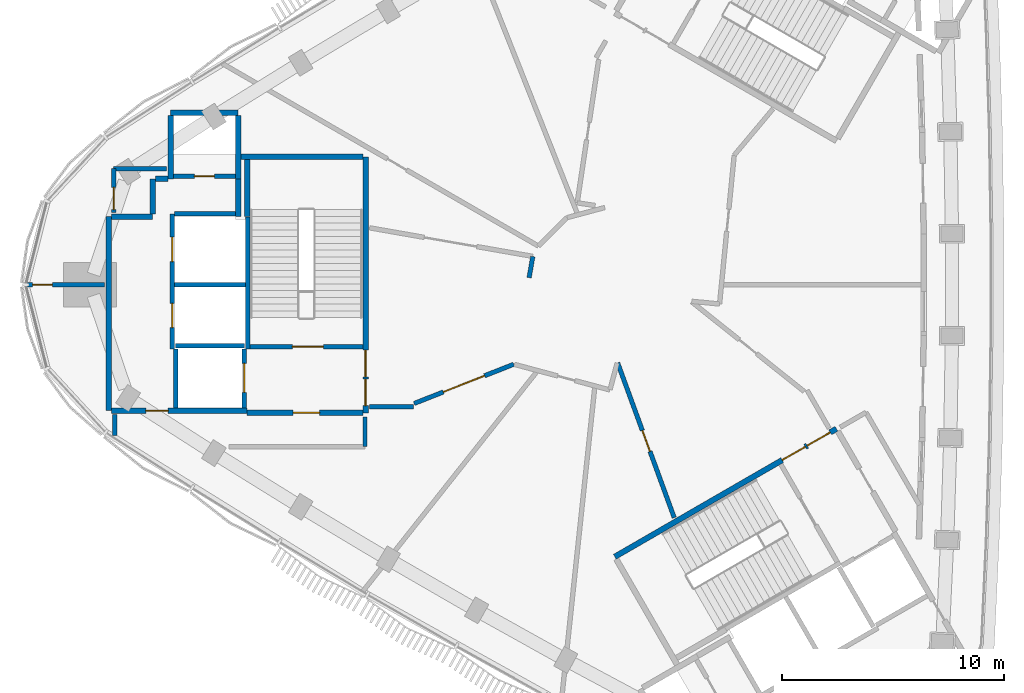
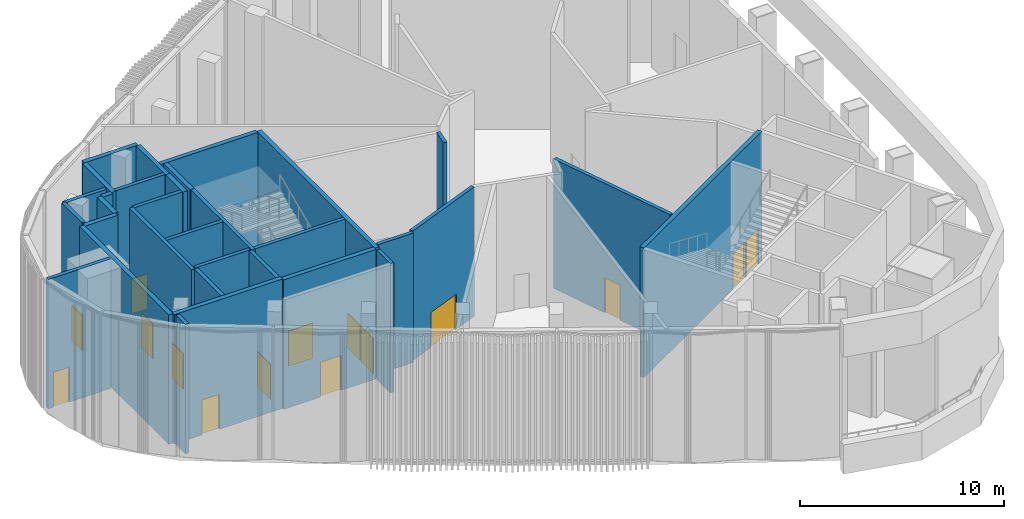
# One storey, part 3 of 11: 32 walls, 15 doors, 15 openings.
"""IFC4 building model written with IfcOpenShell, lengths in metres."""

from ifc_helpers import new_model, si_unit, direction, frame, frame_2d, origin, place, context, subcontext, project, spatial, rectangle, extrude, material, layer, layer_set, type_object, element, fill, save


model = new_model("IFC4")

# Units and contexts
model_context = context("Model", 3, precision=1e-05, world=origin(), true_north=direction((0.0, 1.0)))
body_context = subcontext(model_context, "Body", "Model", "MODEL_VIEW")
ifc_project = project(units=[si_unit("LENGTHUNIT", "METRE"), si_unit("AREAUNIT", "SQUARE_METRE"), si_unit("VOLUMEUNIT", "CUBIC_METRE"), si_unit("PLANEANGLEUNIT", "RADIAN"), si_unit("MASSUNIT", "GRAM", prefix="KILO")], contexts=[model_context])

# Site, building, storey
site_placement = place(None, origin())
site = spatial("IfcSite", under=ifc_project, at=site_placement, CompositionType="ELEMENT")
building_placement = place(site_placement, origin())
building = spatial("IfcBuilding", under=site, at=building_placement, Name="Tamra Quay Hotel Tower", CompositionType="ELEMENT")
storey_placement = place(building_placement, frame((0.0, 0.0, 312.60009765625)))
storey = spatial("IfcBuildingStorey", under=building, at=storey_placement, Name="L78", CompositionType="ELEMENT", Elevation=312.60009765625)

# Wall
ifc_material_1 = material(Name="Concrete M70", Category="concrete")
ifc_layer_1 = layer(ifc_material_1, 0.199951171875)
ifc_layer_set_1 = layer_set([ifc_layer_1], Name="Concrete M70 core wall 200")
wall_type_1 = type_object("IfcWallType", Name="Concrete M70 core wall 200", PredefinedType="SHEAR", material=ifc_layer_set_1)
wall_1_placement = place(storey_placement, frame((-16.162109375, 3.073974609375, 0.0), z_axis=(0.0, 0.0, 1.0), x_axis=(0.0, -1.0, 0.0)))
element("IfcWall", 1, at=wall_1_placement, inside=storey, type_object=wall_type_1, Name="CW2", PredefinedType="SHEAR", context=body_context, shape_type="SweptSolid", body=[
    extrude(rectangle(XDim=5.97412109375, YDim=0.199951171875, at=frame_2d((2.987060546875, 0.0))), origin(), (0.0, 0.0, 1.0), 7.75),
])

# Wall, openings, doors
wall_2_placement = place(storey_placement, frame((-19.5625, -2.900146484375, 0.0), z_axis=(0.0, 0.0, 1.0), x_axis=(0.0, 1.0, 0.0)))
wall_2 = element("IfcWall", 2, at=wall_2_placement, inside=storey, type_object=wall_type_1, Name="CW2", PredefinedType="SHEAR", context=body_context, shape_type="SweptSolid", body=[
    extrude(rectangle(XDim=6.100341796875, YDim=0.199951171875, at=frame_2d((3.05029296875, 0.0))), origin(), (0.0, 0.0, 1.0), 7.75),
])
opening_1_placement = place(wall_2_placement, frame((3.9501953125, 0.0, 0.0)))
opening_1 = element("IfcOpeningElement", 3, at=opening_1_placement, cuts=wall_2, Name="Opening LD", PredefinedType="OPENING", context=body_context, shape_type="SweptSolid", body=[
    extrude(rectangle(XDim=1.10009765625, YDim=2.10009765625, at=frame_2d((0.550048828125, 1.050048828125))), frame((0.0, 0.10986328125, 0.0), z_axis=(0.0, -1.0, 0.0), x_axis=(1.0, 0.0, 0.0)), (0.0, 0.0, 1.0), 0.219970703125),
])
opening_2_placement = place(wall_2_placement, frame((0.968017578125, 0.0, 0.0)))
opening_2 = element("IfcOpeningElement", 4, at=opening_2_placement, cuts=wall_2, Name="Opening LD", PredefinedType="OPENING", context=body_context, shape_type="SweptSolid", body=[
    extrude(rectangle(XDim=1.10009765625, YDim=2.10009765625, at=frame_2d((0.550048828125, 1.050048828125))), frame((0.0, 0.10986328125, 0.0), z_axis=(0.0, -1.0, 0.0), x_axis=(1.0, 0.0, 0.0)), (0.0, 0.0, 1.0), 0.219970703125),
])
ifc_material_2 = material(Name="Landing door LD 1100 double door sliding")
door_type_1 = type_object("IfcDoorType", Name="Landing door LD 1100 double door sliding", OperationType="DOUBLE_DOOR_SLIDING", PredefinedType="DOOR", material=ifc_material_2)
door_1_placement = place(opening_1_placement, origin())
door_1 = element("IfcDoor", 5, at=door_1_placement, inside=storey, type_object=door_type_1, Name="LD", OperationType="DOUBLE_DOOR_SLIDING", OverallHeight=2.10009765625, OverallWidth=1.10009765625, PredefinedType="DOOR", context=body_context, shape_type="SweptSolid", body=[
    extrude(rectangle(XDim=1.10009765625, YDim=2.10009765625, at=frame_2d((0.550048828125, 1.050048828125))), frame((0.0, 0.02490234375, 0.0), z_axis=(0.0, -1.0, 0.0), x_axis=(1.0, 0.0, 0.0)), (0.0, 0.0, 1.0), 0.050048828125),
])
fill(opening_1, door_1)
door_2_placement = place(opening_2_placement, origin())
door_2 = element("IfcDoor", 6, at=door_2_placement, inside=storey, type_object=door_type_1, Name="LD", OperationType="DOUBLE_DOOR_SLIDING", OverallHeight=2.10009765625, OverallWidth=1.10009765625, PredefinedType="DOOR", context=body_context, shape_type="SweptSolid", body=[
    extrude(rectangle(XDim=1.10009765625, YDim=2.10009765625, at=frame_2d((0.550048828125, 1.050048828125))), frame((0.0, 0.02490234375, 0.0), z_axis=(0.0, -1.0, 0.0), x_axis=(1.0, 0.0, 0.0)), (0.0, 0.0, 1.0), 0.050048828125),
])
fill(opening_2, door_2)

# Wall, opening, door
wall_3_placement = place(storey_placement, frame((-10.96337890625, -2.800048828125, 0.0), z_axis=(0.0, 0.0, 1.0), x_axis=(-1.0, 0.0, 0.0)))
wall_3 = element("IfcWall", 7, at=wall_3_placement, inside=storey, type_object=wall_type_1, Name="CW2", PredefinedType="SHEAR", context=body_context, shape_type="SweptSolid", body=[
    extrude(rectangle(XDim=5.097900390625, YDim=0.199951171875, at=frame_2d((2.548828125, 0.0))), origin(), (0.0, 0.0, 1.0), 7.75),
])
opening_3_placement = place(wall_3_placement, frame((1.77392578125, 0.0, 0.0)))
opening_3 = element("IfcOpeningElement", 8, at=opening_3_placement, cuts=wall_3, Name="Opening FD2", PredefinedType="OPENING", context=body_context, shape_type="SweptSolid", body=[
    extrude(rectangle(XDim=1.39990234375, YDim=2.10009765625, at=frame_2d((0.699951171875, 1.050048828125))), frame((0.0, 0.10986328125, 0.0), z_axis=(0.0, -1.0, 0.0), x_axis=(1.0, 0.0, 0.0)), (0.0, 0.0, 1.0), 0.219970703125),
])
ifc_material_3 = material(Name="Core door FD2 1400x2100 LH")
door_type_2 = type_object("IfcDoorType", Name="Core door FD2 1400x2100 LH", OperationType="NOTDEFINED", PredefinedType="DOOR", material=ifc_material_3)
door_3_placement = place(opening_3_placement, origin())
door_3 = element("IfcDoor", 9, at=door_3_placement, inside=storey, type_object=door_type_2, Name="FD2", OperationType="SINGLE_SWING_LEFT", OverallHeight=2.10009765625, OverallWidth=1.39990234375, PredefinedType="DOOR", context=body_context, shape_type="SweptSolid", body=[
    extrude(rectangle(XDim=1.39990234375, YDim=2.10009765625, at=frame_2d((0.699951171875, 1.050048828125))), frame((0.0, 0.02490234375, 0.0), z_axis=(0.0, -1.0, 0.0), x_axis=(1.0, 0.0, 0.0)), (0.0, 0.0, 1.0), 0.050048828125),
])
fill(opening_3, door_3)

# Wall
wall_4_placement = place(storey_placement, frame((-16.26318359375, 0.0, 0.0), z_axis=(0.0, 0.0, 1.0), x_axis=(-1.0, 0.0, 0.0)))
element("IfcWall", 10, at=wall_4_placement, inside=storey, type_object=wall_type_1, Name="CW2", PredefinedType="SHEAR", context=body_context, shape_type="SweptSolid", body=[
    extrude(rectangle(XDim=3.1982421875, YDim=0.199951171875, at=frame_2d((1.59912109375, 0.0))), origin(), (0.0, 0.0, 1.0), 7.75),
])

# Wall, opening, door
wall_5_placement = place(storey_placement, frame((-19.51123046875, 4.91015625, 0.0), z_axis=(0.0, 0.0, 1.0), x_axis=(1.0, 0.0, 0.0)))
wall_5 = element("IfcWall", 11, at=wall_5_placement, inside=storey, type_object=wall_type_1, Name="CW2", PredefinedType="SHEAR", context=body_context, shape_type="SweptSolid", body=[
    extrude(rectangle(XDim=2.7978515625, YDim=0.199951171875, at=frame_2d((1.39892578125, 0.0))), origin(), (0.0, 0.0, 1.0), 7.75),
])
opening_4_placement = place(wall_5_placement, frame((0.948974609375, 0.0, 0.0)))
opening_4 = element("IfcOpeningElement", 12, at=opening_4_placement, cuts=wall_5, Name="Opening D1", PredefinedType="OPENING", context=body_context, shape_type="SweptSolid", body=[
    extrude(rectangle(XDim=0.89990234375, YDim=2.10009765625, at=frame_2d((0.449951171875, 1.050048828125))), frame((0.0, 0.10986328125, 0.0), z_axis=(0.0, -1.0, 0.0), x_axis=(1.0, 0.0, 0.0)), (0.0, 0.0, 1.0), 0.219970703125),
])
ifc_material_4 = material(Name="Core door D1 900x2100 RH")
door_type_3 = type_object("IfcDoorType", Name="Core door D1 900x2100 RH", OperationType="NOTDEFINED", PredefinedType="DOOR", material=ifc_material_4)
door_4_placement = place(opening_4_placement, origin())
door_4 = element("IfcDoor", 13, at=door_4_placement, inside=storey, type_object=door_type_3, Name="D1", OperationType="SINGLE_SWING_RIGHT", OverallHeight=2.10009765625, OverallWidth=0.89990234375, PredefinedType="DOOR", context=body_context, shape_type="SweptSolid", body=[
    extrude(rectangle(XDim=0.89990234375, YDim=2.10009765625, at=frame_2d((0.449951171875, 1.050048828125))), frame((0.0, 0.02490234375, 0.0), z_axis=(0.0, -1.0, 0.0), x_axis=(1.0, 0.0, 0.0)), (0.0, 0.0, 1.0), 0.050048828125),
])
fill(opening_4, door_4)

# Walls
wall_6_placement = place(storey_placement, frame((-19.46240234375, 3.2001953125, 0.0), z_axis=(0.0, 0.0, 1.0), x_axis=(1.0, 0.0, 0.0)))
element("IfcWall", 14, at=wall_6_placement, inside=storey, type_object=wall_type_1, Name="CW2", PredefinedType="SHEAR", context=body_context, shape_type="SweptSolid", body=[
    extrude(rectangle(XDim=2.759033203125, YDim=0.199951171875, at=frame_2d((1.37939453125, 0.0))), origin(), (0.0, 0.0, 1.0), 7.75),
])
wall_7_placement = place(storey_placement, frame((-19.412353515625, -2.75, 0.0), z_axis=(0.0, 0.0, 1.0), x_axis=(1.0, 0.0, 0.0)))
element("IfcWall", 15, at=wall_7_placement, inside=storey, type_object=wall_type_1, Name="CW2", PredefinedType="SHEAR", context=body_context, shape_type="SweptSolid", body=[
    extrude(rectangle(XDim=3.10009765625, YDim=0.199951171875, at=frame_2d((1.550048828125, 0.0))), origin(), (0.0, 0.0, 1.0), 7.75),
])

# Wall, opening, door
wall_8_placement = place(storey_placement, frame((-16.312255859375, -2.898193359375, 0.0), z_axis=(0.0, 0.0, 1.0), x_axis=(0.0, -1.0, 0.0)))
wall_8 = element("IfcWall", 16, at=wall_8_placement, inside=storey, type_object=wall_type_1, Name="CW2", PredefinedType="SHEAR", context=body_context, shape_type="SweptSolid", body=[
    extrude(rectangle(XDim=2.65087890625, YDim=0.199951171875, at=frame_2d((1.325439453125, 0.0))), origin(), (0.0, 0.0, 1.0), 7.75),
])
opening_5_placement = place(wall_8_placement, frame((0.65185546875, 0.0, 0.0)))
opening_5 = element("IfcOpeningElement", 17, at=opening_5_placement, cuts=wall_8, Name="Opening LD", PredefinedType="OPENING", context=body_context, shape_type="SweptSolid", body=[
    extrude(rectangle(XDim=1.300048828125, YDim=2.10009765625, at=frame_2d((0.64990234375, 1.050048828125))), frame((0.0, 0.10986328125, 0.0), z_axis=(0.0, -1.0, 0.0), x_axis=(1.0, 0.0, 0.0)), (0.0, 0.0, 1.0), 0.219970703125),
])
ifc_material_5 = material(Name="Landing door LD 1300 sliding to right")
door_type_4 = type_object("IfcDoorType", Name="Landing door LD 1300 sliding to right", OperationType="NOTDEFINED", PredefinedType="DOOR", material=ifc_material_5)
door_5_placement = place(opening_5_placement, origin())
door_5 = element("IfcDoor", 18, at=door_5_placement, inside=storey, type_object=door_type_4, Name="LD", OperationType="SLIDING_TO_RIGHT", OverallHeight=2.10009765625, OverallWidth=1.300048828125, PredefinedType="DOOR", context=body_context, shape_type="SweptSolid", body=[
    extrude(rectangle(XDim=1.300048828125, YDim=2.10009765625, at=frame_2d((0.64990234375, 1.050048828125))), frame((0.0, 0.02490234375, 0.0), z_axis=(0.0, -1.0, 0.0), x_axis=(1.0, 0.0, 0.0)), (0.0, 0.0, 1.0), 0.050048828125),
])
fill(opening_5, door_5)

# Wall
wall_9_placement = place(storey_placement, frame((-19.412353515625, -5.549072265625, 0.0), z_axis=(0.0, 0.0, 1.0), x_axis=(0.0, 1.0, 0.0)))
element("IfcWall", 19, at=wall_9_placement, inside=storey, type_object=wall_type_1, Name="CW2", PredefinedType="SHEAR", context=body_context, shape_type="SweptSolid", body=[
    extrude(rectangle(XDim=2.65087890625, YDim=0.199951171875, at=frame_2d((1.325439453125, 0.0))), origin(), (0.0, 0.0, 1.0), 7.75),
])

# Wall, openings, doors
ifc_layer_2 = layer(ifc_material_1, 0.25)
ifc_layer_set_2 = layer_set([ifc_layer_2], Name="Concrete M70 core wall 250")
wall_type_2 = type_object("IfcWallType", Name="Concrete M70 core wall 250", PredefinedType="SHEAR", material=ifc_layer_set_2)
wall_10_placement = place(storey_placement, frame((-10.83740234375, 5.77490234375, 0.0), z_axis=(0.0, 0.0, 1.0), x_axis=(0.0, -1.0, 0.0)))
wall_10 = element("IfcWall", 20, at=wall_10_placement, inside=storey, type_object=wall_type_2, Name="CW1", PredefinedType="SHEAR", context=body_context, shape_type="SweptSolid", body=[
    extrude(rectangle(XDim=11.5498046875, YDim=0.25, at=frame_2d((5.77490234375, 0.0))), origin(), (0.0, 0.0, 1.0), 7.75),
])
opening_6_placement = place(wall_10_placement, frame((10.02490234375, 0.0, 0.0)))
opening_6 = element("IfcOpeningElement", 21, at=opening_6_placement, cuts=wall_10, Name="Opening FD1", PredefinedType="OPENING", context=body_context, shape_type="SweptSolid", body=[
    extrude(rectangle(XDim=1.199951171875, YDim=2.10009765625, at=frame_2d((0.60009765625, 1.050048828125))), frame((0.0, 0.135009765625, 0.0), z_axis=(0.0, -1.0, 0.0), x_axis=(1.0, 0.0, 0.0)), (0.0, 0.0, 1.0), 0.27001953125),
])
opening_7_placement = place(wall_10_placement, frame((8.72509765625, 0.0, 0.0)))
opening_7 = element("IfcOpeningElement", 22, at=opening_7_placement, cuts=wall_10, Name="Opening FD1", PredefinedType="OPENING", context=body_context, shape_type="SweptSolid", body=[
    extrude(rectangle(XDim=1.199951171875, YDim=2.10009765625, at=frame_2d((0.60009765625, 1.050048828125))), frame((0.0, 0.135009765625, 0.0), z_axis=(0.0, -1.0, 0.0), x_axis=(1.0, 0.0, 0.0)), (0.0, 0.0, 1.0), 0.27001953125),
])
ifc_material_6 = material(Name="Core door FD1 1200x2100 LH")
door_type_5 = type_object("IfcDoorType", Name="Core door FD1 1200x2100 LH", OperationType="NOTDEFINED", PredefinedType="DOOR", material=ifc_material_6)
door_6_placement = place(opening_6_placement, origin())
door_6 = element("IfcDoor", 23, at=door_6_placement, inside=storey, type_object=door_type_5, Name="FD1", OperationType="SINGLE_SWING_LEFT", OverallHeight=2.10009765625, OverallWidth=1.199951171875, PredefinedType="DOOR", context=body_context, shape_type="SweptSolid", body=[
    extrude(rectangle(XDim=1.199951171875, YDim=2.10009765625, at=frame_2d((0.60009765625, 1.050048828125))), frame((0.0, 0.02490234375, 0.0), z_axis=(0.0, -1.0, 0.0), x_axis=(1.0, 0.0, 0.0)), (0.0, 0.0, 1.0), 0.050048828125),
])
fill(opening_6, door_6)
ifc_material_7 = material(Name="Core door FD1 1200x2100 RH")
door_type_6 = type_object("IfcDoorType", Name="Core door FD1 1200x2100 RH", OperationType="NOTDEFINED", PredefinedType="DOOR", material=ifc_material_7)
door_7_placement = place(opening_7_placement, origin())
door_7 = element("IfcDoor", 24, at=door_7_placement, inside=storey, type_object=door_type_6, Name="FD1", OperationType="SINGLE_SWING_RIGHT", OverallHeight=2.10009765625, OverallWidth=1.199951171875, PredefinedType="DOOR", context=body_context, shape_type="SweptSolid", body=[
    extrude(rectangle(XDim=1.199951171875, YDim=2.10009765625, at=frame_2d((0.60009765625, 1.050048828125))), frame((0.0, 0.02490234375, 0.0), z_axis=(0.0, -1.0, 0.0), x_axis=(1.0, 0.0, 0.0)), (0.0, 0.0, 1.0), 0.050048828125),
])
fill(opening_7, door_7)

# Wall
wall_11_placement = place(storey_placement, frame((-22.437255859375, -5.675048828125, 0.0), z_axis=(0.0, 0.0, 1.0), x_axis=(0.0, 1.0, 0.0)))
element("IfcWall", 25, at=wall_11_placement, inside=storey, type_object=wall_type_2, Name="CW1", PredefinedType="SHEAR", context=body_context, shape_type="SweptSolid", body=[
    extrude(rectangle(XDim=8.75, YDim=0.25, at=frame_2d((4.375, 0.0))), origin(), (0.0, 0.0, 1.0), 7.75),
])

# Wall, opening, door
wall_12_placement = place(storey_placement, frame((-16.187255859375, -5.675048828125, 0.0), z_axis=(0.0, 0.0, 1.0), x_axis=(-1.0, 0.0, 0.0)))
wall_12 = element("IfcWall", 26, at=wall_12_placement, inside=storey, type_object=wall_type_2, Name="CW1", PredefinedType="SHEAR", context=body_context, shape_type="SweptSolid", body=[
    extrude(rectangle(XDim=6.12451171875, YDim=0.25, at=frame_2d((3.062255859375, 0.0))), origin(), (0.0, 0.0, 1.0), 7.75),
])
opening_8_placement = place(wall_12_placement, frame((3.562744140625, 0.0, 0.0)))
opening_8 = element("IfcOpeningElement", 27, at=opening_8_placement, cuts=wall_12, Name="Opening FD3", PredefinedType="OPENING", context=body_context, shape_type="SweptSolid", body=[
    extrude(rectangle(XDim=1.0, YDim=2.10009765625, at=frame_2d((0.5, 1.050048828125))), frame((0.0, 0.135009765625, 0.0), z_axis=(0.0, -1.0, 0.0), x_axis=(1.0, 0.0, 0.0)), (0.0, 0.0, 1.0), 0.27001953125),
])
ifc_material_8 = material(Name="Core door FD3 1000x2100 LH")
door_type_7 = type_object("IfcDoorType", Name="Core door FD3 1000x2100 LH", OperationType="NOTDEFINED", PredefinedType="DOOR", material=ifc_material_8)
door_8_placement = place(opening_8_placement, origin())
door_8 = element("IfcDoor", 28, at=door_8_placement, inside=storey, type_object=door_type_7, Name="FD3", OperationType="SINGLE_SWING_LEFT", OverallHeight=2.10009765625, OverallWidth=1.0, PredefinedType="DOOR", context=body_context, shape_type="SweptSolid", body=[
    extrude(rectangle(XDim=1.0, YDim=2.10009765625, at=frame_2d((0.5, 1.050048828125))), frame((0.0, 0.02490234375, 0.0), z_axis=(0.0, -1.0, 0.0), x_axis=(1.0, 0.0, 0.0)), (0.0, 0.0, 1.0), 0.050048828125),
])
fill(opening_8, door_8)

wall_13_placement = place(storey_placement, frame((-10.962646484375, -5.77490234375, 0.0), z_axis=(0.0, 0.0, 1.0), x_axis=(-1.0, 0.0, 0.0)))
wall_13 = element("IfcWall", 29, at=wall_13_placement, inside=storey, type_object=wall_type_2, Name="CW1", PredefinedType="SHEAR", context=body_context, shape_type="SweptSolid", body=[
    extrude(rectangle(XDim=5.224609375, YDim=0.25, at=frame_2d((2.6123046875, 0.0))), origin(), (0.0, 0.0, 1.0), 7.75),
])
opening_9_placement = place(wall_13_placement, frame((1.94921875, 0.0, 0.0)))
opening_9 = element("IfcOpeningElement", 30, at=opening_9_placement, cuts=wall_13, Name="Opening FD1", PredefinedType="OPENING", context=body_context, shape_type="SweptSolid", body=[
    extrude(rectangle(XDim=1.199951171875, YDim=2.10009765625, at=frame_2d((0.60009765625, 1.050048828125))), frame((0.0, 0.135009765625, 0.0), z_axis=(0.0, -1.0, 0.0), x_axis=(1.0, 0.0, 0.0)), (0.0, 0.0, 1.0), 0.27001953125),
])
door_9_placement = place(opening_9_placement, origin())
door_9 = element("IfcDoor", 31, at=door_9_placement, inside=storey, type_object=door_type_5, Name="FD1", OperationType="SINGLE_SWING_LEFT", OverallHeight=2.10009765625, OverallWidth=1.199951171875, PredefinedType="DOOR", context=body_context, shape_type="SweptSolid", body=[
    extrude(rectangle(XDim=1.199951171875, YDim=2.10009765625, at=frame_2d((0.60009765625, 1.050048828125))), frame((0.0, 0.02490234375, 0.0), z_axis=(0.0, -1.0, 0.0), x_axis=(1.0, 0.0, 0.0)), (0.0, 0.0, 1.0), 0.050048828125),
])
fill(opening_9, door_9)

# Walls
wall_14_placement = place(storey_placement, frame((-16.47216796875, 5.77490234375, 0.0), z_axis=(0.0, 0.0, 1.0), x_axis=(1.0, 0.0, 0.0)))
element("IfcWall", 32, at=wall_14_placement, inside=storey, type_object=wall_type_2, Name="CW1", PredefinedType="SHEAR", context=body_context, shape_type="SweptSolid", body=[
    extrude(rectangle(XDim=5.509521484375, YDim=0.25, at=frame_2d((2.7548828125, 0.0))), origin(), (0.0, 0.0, 1.0), 7.75),
])
wall_15_placement = place(storey_placement, frame((-19.63720703125, 7.77490234375, 0.0), z_axis=(0.0, 0.0, 1.0), x_axis=(1.0, 0.0, 0.0)))
element("IfcWall", 33, at=wall_15_placement, inside=storey, type_object=wall_type_2, Name="CW1", PredefinedType="SHEAR", context=body_context, shape_type="SweptSolid", body=[
    extrude(rectangle(XDim=3.0498046875, YDim=0.25, at=frame_2d((1.52490234375, 0.0))), origin(), (0.0, 0.0, 1.0), 7.75),
])
for number, where, z_axis, x_axis, name in (
    (34, (-16.58740234375, 7.649658203125, 0.0), (0.0, 0.0, 1.0), (0.0, -1.0, 0.0), "CW1"),
    (35, (-19.63720703125, 4.784912109375, 0.0), (0.0, 0.0, 1.0), (0.0, 1.0, 0.0), "CW1"),
):
    element("IfcWall", number, at=place(storey_placement, frame(where, z_axis=z_axis, x_axis=x_axis)), inside=storey, type_object=wall_type_2, Name=name, PredefinedType="SHEAR", context=body_context, shape_type="SweptSolid", body=[
        extrude(rectangle(XDim=2.86474609375, YDim=0.25, at=frame_2d((1.432373046875, 0.0))), origin(), (0.0, 0.0, 1.0), 7.75),
    ])
wall_16_placement = place(storey_placement, frame((-16.187255859375, 3.074951171875, 0.0), z_axis=(0.0, 0.0, 1.0), x_axis=(0.0, 1.0, 0.0)))
element("IfcWall", 36, at=wall_16_placement, inside=storey, type_object=wall_type_2, Name="CW1", PredefinedType="SHEAR", context=body_context, shape_type="SweptSolid", body=[
    extrude(rectangle(XDim=2.57470703125, YDim=0.25, at=frame_2d((1.287353515625, 0.0))), origin(), (0.0, 0.0, 1.0), 7.75),
])
wall_17_placement = place(storey_placement, frame((-22.311767578125, 3.074951171875, 0.0), z_axis=(0.0, 0.0, 1.0), x_axis=(1.0, 0.0, 0.0)))
element("IfcWall", 37, at=wall_17_placement, inside=storey, type_object=wall_type_2, Name="CW1", PredefinedType="SHEAR", context=body_context, shape_type="SweptSolid", body=[
    extrude(rectangle(XDim=1.864501953125, YDim=0.25, at=frame_2d((0.93212890625, 0.0))), origin(), (0.0, 0.0, 1.0), 7.75),
])
wall_18_placement = place(storey_placement, frame((-16.577392578125, 4.784912109375, 0.0), z_axis=(0.0, 0.0, 1.0), x_axis=(0.0, -1.0, 0.0)))
element("IfcWall", 38, at=wall_18_placement, inside=storey, type_object=wall_type_2, Name="CW1", PredefinedType="SHEAR", context=body_context, shape_type="SweptSolid", body=[
    extrude(rectangle(XDim=1.7099609375, YDim=0.25, at=frame_2d((0.85498046875, 0.0))), origin(), (0.0, 0.0, 1.0), 7.75),
])
wall_19_placement = place(storey_placement, frame((-20.447265625, 3.200439453125, 0.0), z_axis=(0.0, 0.0, 1.0), x_axis=(0.0, 1.0, 0.0)))
element("IfcWall", 39, at=wall_19_placement, inside=storey, type_object=wall_type_2, Name="CW1", PredefinedType="SHEAR", context=body_context, shape_type="SweptSolid", body=[
    extrude(rectangle(XDim=1.58447265625, YDim=0.25, at=frame_2d((0.792236328125, 0.0))), origin(), (0.0, 0.0, 1.0), 7.75),
])
wall_20_placement = place(storey_placement, frame((-20.32177734375, 4.784912109375, 0.0), z_axis=(0.0, 0.0, 1.0), x_axis=(1.0, 0.0, 0.0)))
element("IfcWall", 40, at=wall_20_placement, inside=storey, type_object=wall_type_2, Name="CW1", PredefinedType="SHEAR", context=body_context, shape_type="SweptSolid", body=[
    extrude(rectangle(XDim=0.55908203125, YDim=0.25, at=frame_2d((0.279541015625, 0.0))), origin(), (0.0, 0.0, 1.0), 7.75),
])

# Wall, openings, doors
wall_21_placement = place(storey_placement, frame((0.417236328125, -12.27294921875, 0.0), z_axis=(0.0, 0.0, 1.0), x_axis=(0.866021906294, 0.500006057782, 0.0)))
wall_21 = element("IfcWall", 41, at=wall_21_placement, inside=storey, type_object=wall_type_2, Name="CW1", PredefinedType="SHEAR", context=body_context, shape_type="SweptSolid", body=[
    extrude(rectangle(XDim=11.550048828125, YDim=0.25, at=frame_2d((5.77490234375, 0.0))), origin(), (0.0, 0.0, 1.0), 7.75),
])
opening_10_placement = place(wall_21_placement, frame((10.024658203125, 0.0, 0.0)))
opening_10 = element("IfcOpeningElement", 42, at=opening_10_placement, cuts=wall_21, Name="Opening FD1", PredefinedType="OPENING", context=body_context, shape_type="SweptSolid", body=[
    extrude(rectangle(XDim=1.199951171875, YDim=2.10009765625, at=frame_2d((0.60009765625, 1.050048828125))), frame((0.0, 0.135009765625, 0.0), z_axis=(0.0, -1.0, 0.0), x_axis=(1.0, 0.0, 0.0)), (0.0, 0.0, 1.0), 0.27001953125),
])
opening_11_placement = place(wall_21_placement, frame((8.724609375, 0.0, 0.0)))
opening_11 = element("IfcOpeningElement", 43, at=opening_11_placement, cuts=wall_21, Name="Opening FD1", PredefinedType="OPENING", context=body_context, shape_type="SweptSolid", body=[
    extrude(rectangle(XDim=1.199951171875, YDim=2.10009765625, at=frame_2d((0.60009765625, 1.050048828125))), frame((0.0, 0.135009765625, 0.0), z_axis=(0.0, -1.0, 0.0), x_axis=(1.0, 0.0, 0.0)), (0.0, 0.0, 1.0), 0.27001953125),
])
door_10_placement = place(opening_10_placement, origin())
door_10 = element("IfcDoor", 44, at=door_10_placement, inside=storey, type_object=door_type_5, Name="FD1", OperationType="SINGLE_SWING_LEFT", OverallHeight=2.10009765625, OverallWidth=1.199951171875, PredefinedType="DOOR", context=body_context, shape_type="SweptSolid", body=[
    extrude(rectangle(XDim=1.199951171875, YDim=2.10009765625, at=frame_2d((0.60009765625, 1.050048828125))), frame((0.0, 0.02490234375, 0.0), z_axis=(0.0, -1.0, 0.0), x_axis=(1.0, 0.0, 0.0)), (0.0, 0.0, 1.0), 0.050048828125),
])
fill(opening_10, door_10)
door_11_placement = place(opening_11_placement, origin())
door_11 = element("IfcDoor", 45, at=door_11_placement, inside=storey, type_object=door_type_6, Name="FD1", OperationType="SINGLE_SWING_RIGHT", OverallHeight=2.10009765625, OverallWidth=1.199951171875, PredefinedType="DOOR", context=body_context, shape_type="SweptSolid", body=[
    extrude(rectangle(XDim=1.199951171875, YDim=2.10009765625, at=frame_2d((0.60009765625, 1.050048828125))), frame((0.0, 0.02490234375, 0.0), z_axis=(0.0, -1.0, 0.0), x_axis=(1.0, 0.0, 0.0)), (0.0, 0.0, 1.0), 0.050048828125),
])
fill(opening_11, door_11)

# Wall, opening, door
ifc_material_9 = material(Name="Partition corridor wall")
ifc_layer_3 = layer(ifc_material_9, 0.199951171875)
ifc_layer_set_3 = layer_set([ifc_layer_3], Name="Partition corridor wall")
wall_type_3 = type_object("IfcWallType", Name="Partition corridor wall", PredefinedType="PARTITIONING", material=ifc_layer_set_3)
wall_22_placement = place(storey_placement, frame((-22.2119140625, 3.260009765625, 0.0), z_axis=(0.0, 0.0, 1.0), x_axis=(0.0, 1.0, 0.0)))
wall_22 = element("IfcWall", 46, at=wall_22_placement, inside=storey, type_object=wall_type_3, Name="W-C", PredefinedType="PARTITIONING", context=body_context, shape_type="SweptSolid", body=[
    extrude(rectangle(XDim=1.989990234375, YDim=0.199951171875, at=frame_2d((0.9951171875, 0.0))), origin(), (0.0, 0.0, 1.0), 7.75),
])
opening_12_placement = place(wall_22_placement, frame((0.139892578125, 0.0, 0.0)))
opening_12 = element("IfcOpeningElement", 47, at=opening_12_placement, cuts=wall_22, Name="Opening L78-D002", PredefinedType="OPENING", context=body_context, shape_type="SweptSolid", body=[
    extrude(rectangle(XDim=1.0, YDim=2.10009765625, at=frame_2d((0.5, 1.050048828125))), frame((0.0, 0.10986328125, 0.0), z_axis=(0.0, -1.0, 0.0), x_axis=(1.0, 0.0, 0.0)), (0.0, 0.0, 1.0), 0.219970703125),
])
ifc_material_10 = material(Name="Door guest room 1000x2100")
door_type_8 = type_object("IfcDoorType", Name="Door guest room 1000x2100", OperationType="NOTDEFINED", PredefinedType="DOOR", material=ifc_material_10)
door_12_placement = place(opening_12_placement, frame((1.0, 0.0, 0.0), z_axis=(0.0, 0.0, 1.0), x_axis=(-1.0, 0.0, 0.0)))
door_12 = element("IfcDoor", 48, at=door_12_placement, inside=storey, type_object=door_type_8, Name="L78-D002", OperationType="SINGLE_SWING_LEFT", OverallHeight=2.10009765625, OverallWidth=1.0, PredefinedType="DOOR", context=body_context, shape_type="SweptSolid", body=[
    extrude(rectangle(XDim=1.0, YDim=2.10009765625, at=frame_2d((0.5, 1.050048828125))), frame((0.0, 0.02490234375, 0.0), z_axis=(0.0, -1.0, 0.0), x_axis=(1.0, 0.0, 0.0)), (0.0, 0.0, 1.0), 0.050048828125),
])
fill(opening_12, door_12)

# Walls
wall_23_placement = place(storey_placement, frame((-22.2119140625, 5.25, 0.0), z_axis=(0.0, 0.0, 1.0), x_axis=(1.0, 0.0, 0.0)))
element("IfcWall", 49, at=wall_23_placement, inside=storey, type_object=wall_type_3, Name="W-C", PredefinedType="PARTITIONING", context=body_context, shape_type="SweptSolid", body=[
    extrude(rectangle(XDim=2.3896484375, YDim=0.199951171875, at=frame_2d((1.19482421875, 0.0))), origin(), (0.0, 0.0, 1.0), 7.75),
])
wall_24_placement = place(storey_placement, frame((-22.162109375, -6.799072265625, 0.0), z_axis=(0.0, 0.0, 1.0), x_axis=(0.0, 1.0, 0.0)))
element("IfcWall", 50, at=wall_24_placement, inside=storey, type_object=wall_type_3, Name="W-C", PredefinedType="PARTITIONING", context=body_context, shape_type="SweptSolid", body=[
    extrude(rectangle(XDim=0.93896484375, YDim=0.199951171875, at=frame_2d((0.469482421875, 0.0))), origin(), (0.0, 0.0, 1.0), 7.75),
])
wall_25_placement = place(storey_placement, frame((-10.862060546875, -7.300048828125, 0.0), z_axis=(0.0, 0.0, 1.0), x_axis=(0.0, 1.0, 0.0)))
element("IfcWall", 51, at=wall_25_placement, inside=storey, type_object=wall_type_3, Name="W-C", PredefinedType="PARTITIONING", context=body_context, shape_type="SweptSolid", body=[
    extrude(rectangle(XDim=1.340087890625, YDim=0.199951171875, at=frame_2d((0.669921875, 0.0))), origin(), (0.0, 0.0, 1.0), 7.75),
])

# Wall, opening, door
ifc_material_11 = material(Name="Partition party wall")
ifc_layer_4 = layer(ifc_material_11, 0.199951171875)
ifc_layer_set_4 = layer_set([ifc_layer_4], Name="Partition party wall")
wall_type_4 = type_object("IfcWallType", Name="Partition party wall", PredefinedType="PARTITIONING", material=ifc_layer_set_4)
wall_26_placement = place(storey_placement, frame((-26.16845703125, 0.0, 0.0), z_axis=(0.0, 0.0, 1.0), x_axis=(1.0, 0.0, 0.0)))
wall_26 = element("IfcWall", 52, at=wall_26_placement, inside=storey, type_object=wall_type_4, Name="W-P", PredefinedType="PARTITIONING", context=body_context, shape_type="SweptSolid", body=[
    extrude(rectangle(XDim=3.546142578125, YDim=0.199951171875, at=frame_2d((1.77294921875, 0.0))), origin(), (0.0, 0.0, 1.0), 7.75),
])
opening_13_placement = place(wall_26_placement, frame((0.29833984375, 0.0, 0.0)))
opening_13 = element("IfcOpeningElement", 53, at=opening_13_placement, cuts=wall_26, Name="Opening L78-D006", PredefinedType="OPENING", context=body_context, shape_type="SweptSolid", body=[
    extrude(rectangle(XDim=0.89990234375, YDim=2.10009765625, at=frame_2d((0.449951171875, 1.050048828125))), frame((0.0, 0.10986328125, 0.0), z_axis=(0.0, -1.0, 0.0), x_axis=(1.0, 0.0, 0.0)), (0.0, 0.0, 1.0), 0.219970703125),
])
ifc_material_12 = material(Name="Door service room 900x2100")
door_type_9 = type_object("IfcDoorType", Name="Door service room 900x2100", OperationType="NOTDEFINED", PredefinedType="DOOR", material=ifc_material_12)
door_13_placement = place(opening_13_placement, frame((0.89990234375, 0.0, 0.0), z_axis=(0.0, 0.0, 1.0), x_axis=(-1.0, 0.0, 0.0)))
door_13 = element("IfcDoor", 54, at=door_13_placement, inside=storey, type_object=door_type_9, Name="L78-D006", OperationType="SINGLE_SWING_LEFT", OverallHeight=2.10009765625, OverallWidth=0.89990234375, PredefinedType="DOOR", context=body_context, shape_type="SweptSolid", body=[
    extrude(rectangle(XDim=0.89990234375, YDim=2.10009765625, at=frame_2d((0.449951171875, 1.050048828125))), frame((0.0, 0.02490234375, 0.0), z_axis=(0.0, -1.0, 0.0), x_axis=(1.0, 0.0, 0.0)), (0.0, 0.0, 1.0), 0.050048828125),
])
fill(opening_13, door_13)

# Wall
wall_27_placement = place(storey_placement, frame((-10.65234375, -5.5, 0.0), z_axis=(0.0, 0.0, 1.0), x_axis=(1.0, 0.0, 0.0)))
element("IfcWall", 55, at=wall_27_placement, inside=storey, type_object=wall_type_4, Name="W-P", PredefinedType="PARTITIONING", context=body_context, shape_type="SweptSolid", body=[
    extrude(rectangle(XDim=1.9892578125, YDim=0.199951171875, at=frame_2d((0.99462890625, 0.0))), origin(), (0.0, 0.0, 1.0), 7.75),
])

# Wall, opening, door
wall_28_placement = place(storey_placement, frame((-8.64599609375, -5.35595703125, 0.0), z_axis=(0.0, 0.0, 1.0), x_axis=(0.930503328828, 0.366283435388, 0.0)))
wall_28 = element("IfcWall", 56, at=wall_28_placement, inside=storey, type_object=wall_type_4, Name="W-P", PredefinedType="PARTITIONING", context=body_context, shape_type="SweptSolid", body=[
    extrude(rectangle(XDim=4.8349609375, YDim=0.199951171875, at=frame_2d((2.41748046875, 0.0))), origin(), (0.0, 0.0, 1.0), 7.75),
])
opening_14_placement = place(wall_28_placement, frame((1.41748046875, 0.0, 0.0)))
opening_14 = element("IfcOpeningElement", 57, at=opening_14_placement, cuts=wall_28, Name="Opening L78-D007", PredefinedType="OPENING", context=body_context, shape_type="SweptSolid", body=[
    extrude(rectangle(XDim=2.0, YDim=2.10009765625, at=frame_2d((1.0, 1.050048828125))), frame((0.0, 0.10986328125, 0.0), z_axis=(0.0, -1.0, 0.0), x_axis=(1.0, 0.0, 0.0)), (0.0, 0.0, 1.0), 0.219970703125),
])
ifc_material_13 = material(Name="Door double leaf 2000x2100")
door_type_10 = type_object("IfcDoorType", Name="Door double leaf 2000x2100", OperationType="DOUBLE_DOOR_SINGLE_SWING", PredefinedType="DOOR", material=ifc_material_13)
door_14_placement = place(opening_14_placement, frame((2.0, 0.0, 0.0), z_axis=(0.0, 0.0, 1.0), x_axis=(-1.0, 0.0, 0.0)))
door_14 = element("IfcDoor", 58, at=door_14_placement, inside=storey, type_object=door_type_10, Name="L78-D007", OperationType="DOUBLE_DOOR_SINGLE_SWING", OverallHeight=2.10009765625, OverallWidth=2.0, PredefinedType="DOOR", context=body_context, shape_type="SweptSolid", body=[
    extrude(rectangle(XDim=2.0, YDim=2.10009765625, at=frame_2d((1.0, 1.050048828125))), frame((0.0, 0.02490234375, 0.0), z_axis=(0.0, -1.0, 0.0), x_axis=(1.0, 0.0, 0.0)), (0.0, 0.0, 1.0), 0.050048828125),
])
fill(opening_14, door_14)

# Wall
wall_29_placement = place(storey_placement, frame((-3.452880859375, 0.324951171875, 0.0), z_axis=(0.0, 0.0, 1.0), x_axis=(0.172576174049, 0.984996174688, 0.0)))
element("IfcWall", 59, at=wall_29_placement, inside=storey, type_object=wall_type_4, Name="W-P", PredefinedType="PARTITIONING", context=body_context, shape_type="SweptSolid", body=[
    extrude(rectangle(XDim=0.967529296875, YDim=0.199951171875, at=frame_2d((0.48388671875, 0.0))), origin(), (0.0, 0.0, 1.0), 7.75),
])

# Wall, opening, door
wall_30_placement = place(storey_placement, frame((0.544921875, -3.52490234375, 0.0), z_axis=(0.0, 0.0, 1.0), x_axis=(0.343284274362, -0.93923155131, 0.0)))
wall_30 = element("IfcWall", 60, at=wall_30_placement, inside=storey, type_object=wall_type_4, Name="W-P", PredefinedType="PARTITIONING", context=body_context, shape_type="SweptSolid", body=[
    extrude(rectangle(XDim=7.438232421875, YDim=0.199951171875, at=frame_2d((3.71923828125, 0.0))), origin(), (0.0, 0.0, 1.0), 7.75),
])
opening_15_placement = place(wall_30_placement, frame((3.247802734375, 0.0, 0.0)))
opening_15 = element("IfcOpeningElement", 61, at=opening_15_placement, cuts=wall_30, Name="Opening L78-D009", PredefinedType="OPENING", context=body_context, shape_type="SweptSolid", body=[
    extrude(rectangle(XDim=1.0, YDim=2.10009765625, at=frame_2d((0.5, 1.050048828125))), frame((0.0, 0.10986328125, 0.0), z_axis=(0.0, -1.0, 0.0), x_axis=(1.0, 0.0, 0.0)), (0.0, 0.0, 1.0), 0.219970703125),
])
door_15_placement = place(opening_15_placement, frame((1.0, 0.0, 0.0), z_axis=(0.0, 0.0, 1.0), x_axis=(-1.0, 0.0, 0.0)))
door_15 = element("IfcDoor", 62, at=door_15_placement, inside=storey, type_object=door_type_8, Name="L78-D009", OperationType="SINGLE_SWING_LEFT", OverallHeight=2.10009765625, OverallWidth=1.0, PredefinedType="DOOR", context=body_context, shape_type="SweptSolid", body=[
    extrude(rectangle(XDim=1.0, YDim=2.10009765625, at=frame_2d((0.5, 1.050048828125))), frame((0.0, 0.02490234375, 0.0), z_axis=(0.0, -1.0, 0.0), x_axis=(1.0, 0.0, 0.0)), (0.0, 0.0, 1.0), 0.050048828125),
])
fill(opening_15, door_15)

save(model, "model.ifc")
